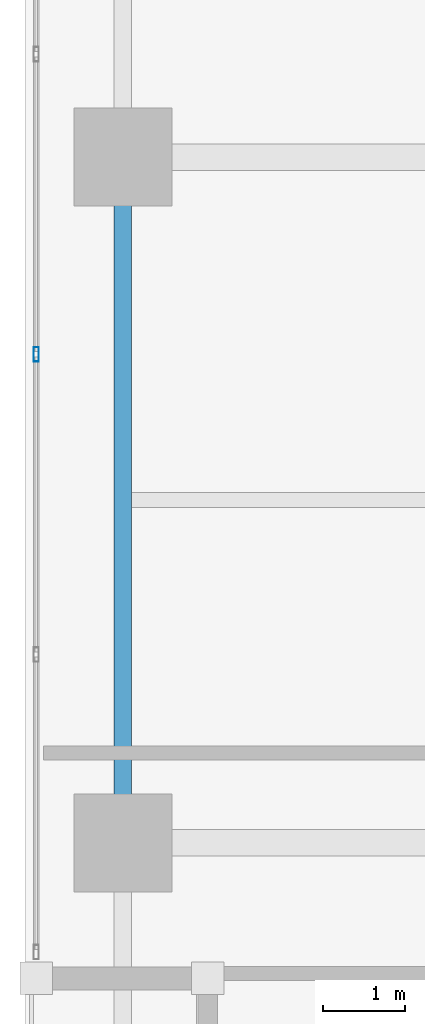
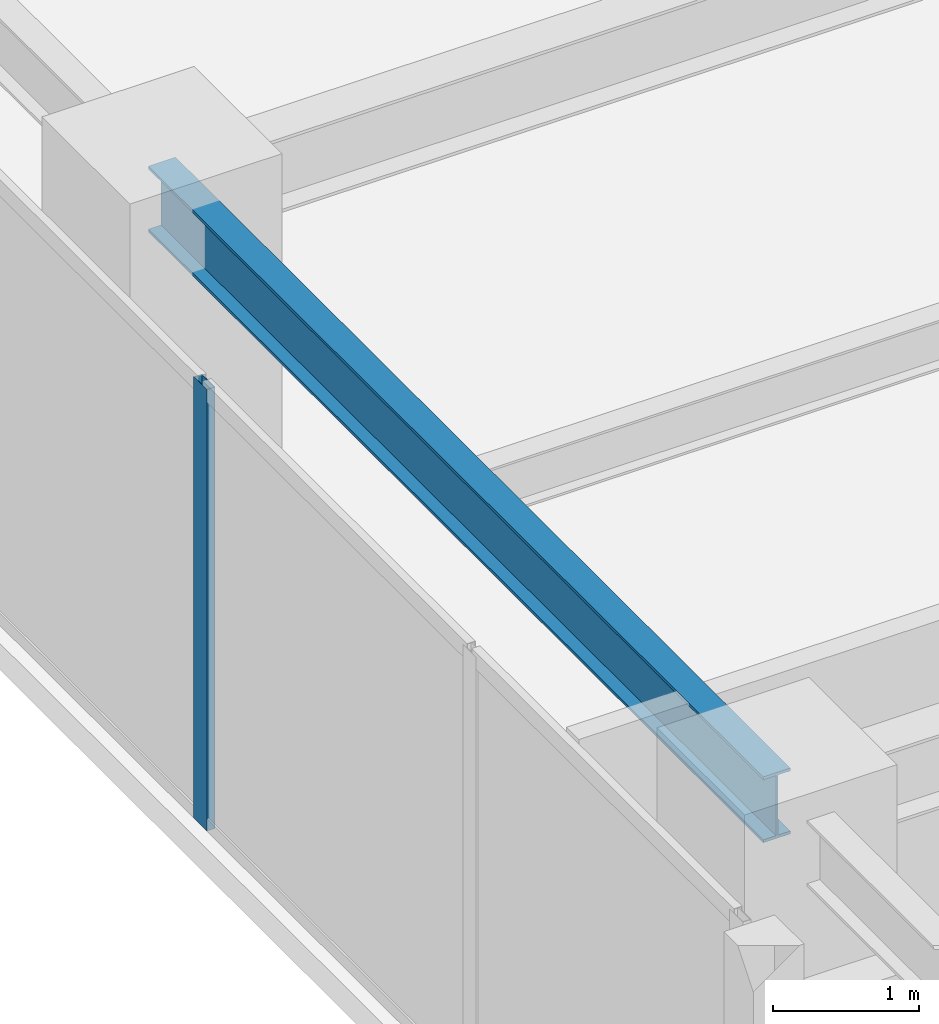
# One storey, part 5 of 30: 1 beam, 1 member, 1 element without a shape of its own.
"""IFC4 building model written with IfcOpenShell, lengths in metres."""

from ifc_helpers import new_model, si_unit, direction, frame, origin, origin_2d, place, context, subcontext, project, spatial, hollow_rectangle, i_section, extrude, material, layer, layer_set, material_profile, profile_set, type_object, element, aggregate, save


model = new_model("IFC4")

# Units and contexts
model_context = context("Model", 3, precision=1e-05, world=origin(), true_north=direction((0.0, 1.0)))
body_context = subcontext(model_context, "Body", "Model", "MODEL_VIEW")
ifc_project = project(units=[si_unit("LENGTHUNIT", "METRE"), si_unit("AREAUNIT", "SQUARE_METRE"), si_unit("VOLUMEUNIT", "CUBIC_METRE"), si_unit("PLANEANGLEUNIT", "RADIAN"), si_unit("MASSUNIT", "GRAM", prefix="KILO")], contexts=[model_context])

# Site, building, storey
site_placement = place(None, origin())
site = spatial("IfcSite", under=ifc_project, at=site_placement, CompositionType="ELEMENT")
building_placement = place(site_placement, origin())
building = spatial("IfcBuilding", under=site, at=building_placement, Name="Kiyonajd Concourse Tower", CompositionType="ELEMENT")
storey_placement = place(building_placement, frame((0.0, 0.0, 170.10009765625)))
storey = spatial("IfcBuildingStorey", under=building, at=storey_placement, Name="L43", CompositionType="ELEMENT", Elevation=170.10009765625)

# Beam
ifc_material_1 = material(Name="Steel ASTM A992 Grade 50", Category="steel")
ifc_material_profile_1 = material_profile(ifc_material_1, i_section(OverallWidth=0.214111328125, OverallDepth=0.549072265625, WebThickness=0.0146484375, FlangeThickness=0.023681640625, at=origin_2d()), Name="W530X138")
ifc_profile_set_1 = profile_set([ifc_material_profile_1], Name="Steel ASTM A992 Grade 50")
beam_type = type_object("IfcBeamType", Name="BM-SPAN-530A", PredefinedType="SPANDREL", material=ifc_profile_set_1)
beam_placement = place(storey_placement, frame((19.199951171875, 44.39990234375, 3.405517578125), z_axis=(0.0, -1.0, 0.0), x_axis=(1.0, 0.0, 0.0)))
element("IfcBeam", 1, at=beam_placement, inside=storey, type_object=beam_type, Name="L43 Perimeter Bundled Tube Spandrel", PredefinedType="SPANDREL", context=body_context, shape_type="SweptSolid", body=[
    extrude(i_section(OverallWidth=0.214111328125, OverallDepth=0.549072265625, WebThickness=0.0146484375, FlangeThickness=0.023681640625, at=origin_2d()), origin(), (0.0, 0.0, 1.0), 8.39990234375),
])

# Curtain wall, member
ifc_material_2 = material(Name="Thermally Broken Anodised Aluminium", Category="aluminium")
ifc_layer = layer(ifc_material_2, 0.179931640625)
ifc_layer_set = layer_set([ifc_layer], Name="Thermally Broken Anodised Aluminium")
curtain_wall_type = type_object("IfcCurtainWallType", Name="CW-SYS-03", PredefinedType="NOTDEFINED", material=ifc_layer_set)
curtain_wall_placement = place(storey_placement, origin())
curtain_wall = element("IfcCurtainWall", 2, at=curtain_wall_placement, inside=storey, type_object=curtain_wall_type, Name="L43 Unitised Curtain Wall CW3", PredefinedType="NOTDEFINED")
ifc_material_profile_2 = material_profile(ifc_material_2, hollow_rectangle(XDim=0.06494140625, YDim=0.179931640625, WallThickness=0.00390625, at=origin_2d()), Name="MULL-65x180")
ifc_profile_set_2 = profile_set([ifc_material_profile_2], Name="Thermally Broken Anodised Aluminium")
member_type = type_object("IfcMemberType", Name="MB-CW-MULL1", PredefinedType="MULLION", material=ifc_profile_set_2)
member_placement = place(storey_placement, frame((18.139892578125, 41.98388671875, 0.0), z_axis=(0.0, 0.0, 1.0), x_axis=(-1.0, 0.0, 0.0)))
member = element("IfcMember", 3, at=member_placement, type_object=member_type, Name="CW3 mullion 3", PredefinedType="MULLION", context=body_context, shape_type="SweptSolid", body=[
    extrude(hollow_rectangle(XDim=0.06494140625, YDim=0.179931640625, WallThickness=0.00390625, at=origin_2d()), origin(), (0.0, 0.0, 1.0), 3.679931640625),
])
aggregate(curtain_wall, [member])

save(model, "model.ifc")
